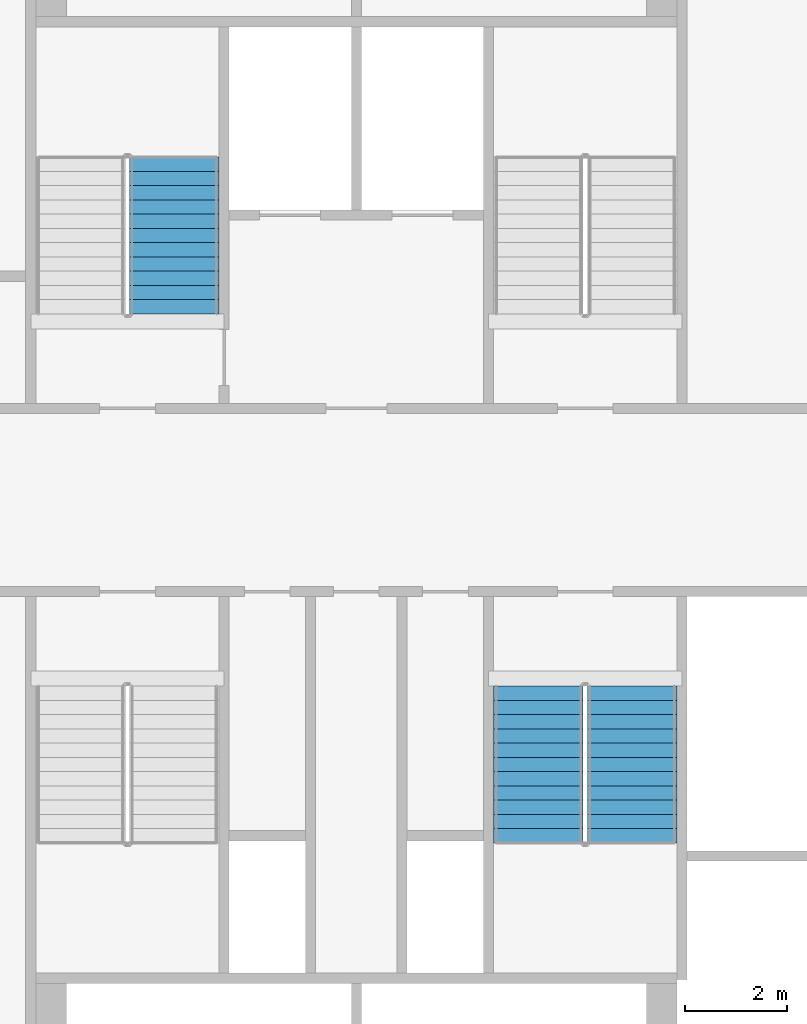
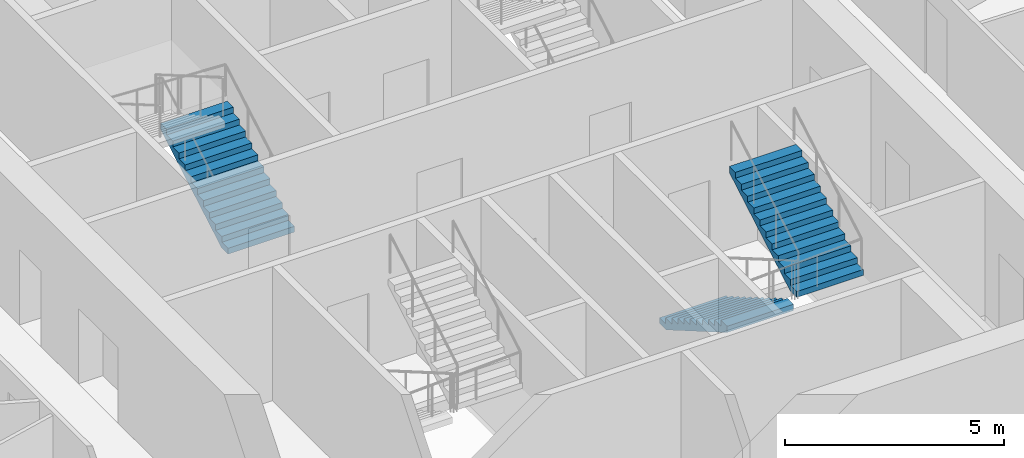
# One storey, part 16 of 22: 3 stair flights, 2 elements without a shape of their own.
"""IFC4 building model written with IfcOpenShell, lengths in metres."""

from ifc_helpers import new_model, si_unit, direction, frame, origin, place, context, subcontext, project, spatial, faceted_brep, material, type_object, element, aggregate, save


model = new_model("IFC4")

# Units and contexts
model_context = context("Model", 3, precision=1e-05, world=origin(), true_north=direction((0.0, 1.0)))
body_context = subcontext(model_context, "Body", "Model", "MODEL_VIEW")
ifc_project = project(units=[si_unit("LENGTHUNIT", "METRE"), si_unit("AREAUNIT", "SQUARE_METRE"), si_unit("VOLUMEUNIT", "CUBIC_METRE"), si_unit("PLANEANGLEUNIT", "RADIAN"), si_unit("MASSUNIT", "GRAM", prefix="KILO")], contexts=[model_context])

# Site, building, storey
site_placement = place(None, origin())
site = spatial("IfcSite", under=ifc_project, at=site_placement, CompositionType="ELEMENT")
building_placement = place(site_placement, origin())
building = spatial("IfcBuilding", under=site, at=building_placement, Name="Tarsis Ring Headquarters", CompositionType="ELEMENT")
storey_placement = place(building_placement, frame((0.0, 0.0, 186.60009765625)))
storey = spatial("IfcBuildingStorey", under=building, at=storey_placement, Name="L43", CompositionType="ELEMENT", Elevation=186.60009765625)

# Stair, stair flight
ifc_material_1 = material(Name="Core stair 1760")
stair_type = type_object("IfcStairType", Name="Core stair 1760", PredefinedType="HALF_TURN_STAIR", material=ifc_material_1)
stair_1_placement = place(storey_placement, origin())
stair_1 = element("IfcStair", 1, at=stair_1_placement, inside=storey, type_object=stair_type, Name="L43 Firefighting stair", PredefinedType="HALF_TURN_STAIR")
ifc_material_2 = material(Name="Concrete C40/50", Category="concrete")
stair_flight_type = type_object("IfcStairFlightType", Name="Core stair flight 1760", PredefinedType="STRAIGHT", material=ifc_material_2)
stair_flight_1_placement = place(storey_placement, frame((-3.580078125, 3.659912109375, 0.0), z_axis=(0.0, 0.0, 1.0), x_axis=(0.0, 1.0, 0.0)))
stair_flight_1 = element("IfcStairFlight", 2, at=stair_flight_1_placement, type_object=stair_flight_type, Name="Stair ST1 flight 1", NumberOfRisers=12, NumberOfTreads=11, PredefinedType="STRAIGHT", RiserHeight=0.1625, TreadLength=0.28, context=body_context, shape_type="Brep", body=[
    faceted_brep([(0.0, 0.8798828125, 0.0), (0.0, 0.8798828125, 0.16259765625), (0.280029296875, 0.8798828125, 0.16259765625), (0.280029296875, 0.8798828125, 0.324951171875), (0.56005859375, 0.8798828125, 0.324951171875), (0.56005859375, 0.8798828125, 0.487548828125), (0.840087890625, 0.8798828125, 0.487548828125), (0.840087890625, 0.8798828125, 0.64990234375), (1.1201171875, 0.8798828125, 0.64990234375), (1.1201171875, 0.8798828125, 0.8125), (1.39990234375, 0.8798828125, 0.8125), (1.39990234375, 0.8798828125, 0.97509765625), (1.679931640625, 0.8798828125, 0.97509765625), (1.679931640625, 0.8798828125, 1.137451171875), (1.9599609375, 0.8798828125, 1.137451171875), (1.9599609375, 0.8798828125, 1.300048828125), (2.239990234375, 0.8798828125, 1.300048828125), (2.239990234375, 0.8798828125, 1.46240234375), (2.52001953125, 0.8798828125, 1.46240234375), (2.52001953125, 0.8798828125, 1.625), (2.800048828125, 0.8798828125, 1.625), (2.800048828125, 0.8798828125, 1.78759765625), (3.080078125, 0.8798828125, 1.78759765625), (3.080078125, 0.8798828125, 1.6142578125), (0.298583984375, 0.8798828125, 0.0), (0.298583984375, -0.8798828125, 0.0), (3.080078125, -0.8798828125, 1.6142578125), (3.080078125, -0.8798828125, 1.78759765625), (2.800048828125, -0.8798828125, 1.78759765625), (2.800048828125, -0.8798828125, 1.625), (2.52001953125, -0.8798828125, 1.625), (2.52001953125, -0.8798828125, 1.46240234375), (2.239990234375, -0.8798828125, 1.46240234375), (2.239990234375, -0.8798828125, 1.300048828125), (1.9599609375, -0.8798828125, 1.300048828125), (1.9599609375, -0.8798828125, 1.137451171875), (1.679931640625, -0.8798828125, 1.137451171875), (1.679931640625, -0.8798828125, 0.97509765625), (1.39990234375, -0.8798828125, 0.97509765625), (1.39990234375, -0.8798828125, 0.8125), (1.1201171875, -0.8798828125, 0.8125), (1.1201171875, -0.8798828125, 0.64990234375), (0.840087890625, -0.8798828125, 0.64990234375), (0.840087890625, -0.8798828125, 0.487548828125), (0.56005859375, -0.8798828125, 0.487548828125), (0.56005859375, -0.8798828125, 0.324951171875), (0.280029296875, -0.8798828125, 0.324951171875), (0.280029296875, -0.8798828125, 0.16259765625), (0.0, -0.8798828125, 0.16259765625), (0.0, -0.8798828125, 0.0), (0.0, -0.43994140625, 0.16259765625), (0.0, -0.43994140625, 0.0), (0.0, 0.0, 0.16259765625), (0.0, 0.0, 0.0), (0.0, 0.43994140625, 0.16259765625), (0.0, 0.43994140625, 0.0), (0.280029296875, -0.43994140625, 0.16259765625), (0.280029296875, 0.0, 0.16259765625), (0.280029296875, 0.43994140625, 0.16259765625), (0.280029296875, -0.43994140625, 0.324951171875), (0.280029296875, 0.0, 0.324951171875), (0.280029296875, 0.43994140625, 0.324951171875), (0.56005859375, -0.43994140625, 0.324951171875), (0.56005859375, 0.0, 0.324951171875), (0.56005859375, 0.43994140625, 0.324951171875), (0.56005859375, -0.43994140625, 0.487548828125), (0.56005859375, 0.0, 0.487548828125), (0.56005859375, 0.43994140625, 0.487548828125), (0.840087890625, -0.43994140625, 0.487548828125), (0.840087890625, 0.0, 0.487548828125), (0.840087890625, 0.43994140625, 0.487548828125), (0.840087890625, -0.43994140625, 0.64990234375), (0.840087890625, 0.0, 0.64990234375), (0.840087890625, 0.43994140625, 0.64990234375), (1.1201171875, -0.43994140625, 0.64990234375), (1.1201171875, 0.0, 0.64990234375), (1.1201171875, 0.43994140625, 0.64990234375), (1.1201171875, -0.43994140625, 0.8125), (1.1201171875, 0.0, 0.8125), (1.1201171875, 0.43994140625, 0.8125), (1.39990234375, -0.43994140625, 0.8125), (1.39990234375, 0.0, 0.8125), (1.39990234375, 0.43994140625, 0.8125), (1.39990234375, -0.43994140625, 0.97509765625), (1.39990234375, 0.0, 0.97509765625), (1.39990234375, 0.43994140625, 0.97509765625), (1.679931640625, -0.43994140625, 0.97509765625), (1.679931640625, 0.0, 0.97509765625), (1.679931640625, 0.43994140625, 0.97509765625), (1.679931640625, -0.43994140625, 1.137451171875), (1.679931640625, 0.0, 1.137451171875), (1.679931640625, 0.43994140625, 1.137451171875), (1.9599609375, -0.43994140625, 1.137451171875), (1.9599609375, 0.0, 1.137451171875), (1.9599609375, 0.43994140625, 1.137451171875), (1.9599609375, -0.43994140625, 1.300048828125), (1.9599609375, 0.0, 1.300048828125), (1.9599609375, 0.43994140625, 1.300048828125), (2.239990234375, -0.43994140625, 1.300048828125), (2.239990234375, 0.0, 1.300048828125), (2.239990234375, 0.43994140625, 1.300048828125), (2.239990234375, -0.43994140625, 1.46240234375), (2.239990234375, 0.0, 1.46240234375), (2.239990234375, 0.43994140625, 1.46240234375), (2.52001953125, -0.43994140625, 1.46240234375), (2.52001953125, 0.0, 1.46240234375), (2.52001953125, 0.43994140625, 1.46240234375), (2.52001953125, -0.43994140625, 1.625), (2.52001953125, 0.0, 1.625), (2.52001953125, 0.43994140625, 1.625), (2.800048828125, -0.43994140625, 1.625), (2.800048828125, 0.0, 1.625), (2.800048828125, 0.43994140625, 1.625), (2.800048828125, -0.43994140625, 1.78759765625), (2.800048828125, 0.0, 1.78759765625), (2.800048828125, 0.43994140625, 1.78759765625), (3.080078125, -0.43994140625, 1.78759765625), (3.080078125, 0.0, 1.78759765625), (3.080078125, 0.43994140625, 1.78759765625), (3.080078125, -0.43994140625, 1.6142578125), (3.080078125, 0.0, 1.6142578125), (3.080078125, 0.43994140625, 1.6142578125), (0.298583984375, -0.43994140625, 0.0), (0.298583984375, 0.0, 0.0), (0.298583984375, 0.43994140625, 0.0)], [[[0, 1, 2, 3, 4, 5, 6, 7, 8, 9, 10, 11, 12, 13, 14, 15, 16, 17, 18, 19, 20, 21, 22, 23, 24]], [[25, 26, 27, 28, 29, 30, 31, 32, 33, 34, 35, 36, 37, 38, 39, 40, 41, 42, 43, 44, 45, 46, 47, 48, 49]], [[49, 48, 50, 51]], [[51, 50, 52, 53]], [[53, 52, 54, 55]], [[55, 54, 1, 0]], [[48, 47, 56, 50]], [[50, 56, 57, 52]], [[52, 57, 58, 54]], [[54, 58, 2, 1]], [[47, 46, 59, 56]], [[56, 59, 60, 57]], [[57, 60, 61, 58]], [[58, 61, 3, 2]], [[46, 45, 62, 59]], [[59, 62, 63, 60]], [[60, 63, 64, 61]], [[61, 64, 4, 3]], [[45, 44, 65, 62]], [[62, 65, 66, 63]], [[63, 66, 67, 64]], [[64, 67, 5, 4]], [[44, 43, 68, 65]], [[65, 68, 69, 66]], [[66, 69, 70, 67]], [[67, 70, 6, 5]], [[43, 42, 71, 68]], [[68, 71, 72, 69]], [[69, 72, 73, 70]], [[70, 73, 7, 6]], [[42, 41, 74, 71]], [[71, 74, 75, 72]], [[72, 75, 76, 73]], [[73, 76, 8, 7]], [[41, 40, 77, 74]], [[74, 77, 78, 75]], [[75, 78, 79, 76]], [[76, 79, 9, 8]], [[40, 39, 80, 77]], [[77, 80, 81, 78]], [[78, 81, 82, 79]], [[79, 82, 10, 9]], [[39, 38, 83, 80]], [[80, 83, 84, 81]], [[81, 84, 85, 82]], [[82, 85, 11, 10]], [[38, 37, 86, 83]], [[83, 86, 87, 84]], [[84, 87, 88, 85]], [[85, 88, 12, 11]], [[37, 36, 89, 86]], [[86, 89, 90, 87]], [[87, 90, 91, 88]], [[88, 91, 13, 12]], [[36, 35, 92, 89]], [[89, 92, 93, 90]], [[90, 93, 94, 91]], [[91, 94, 14, 13]], [[35, 34, 95, 92]], [[92, 95, 96, 93]], [[93, 96, 97, 94]], [[94, 97, 15, 14]], [[34, 33, 98, 95]], [[95, 98, 99, 96]], [[96, 99, 100, 97]], [[97, 100, 16, 15]], [[33, 32, 101, 98]], [[98, 101, 102, 99]], [[99, 102, 103, 100]], [[100, 103, 17, 16]], [[32, 31, 104, 101]], [[101, 104, 105, 102]], [[102, 105, 106, 103]], [[103, 106, 18, 17]], [[31, 30, 107, 104]], [[104, 107, 108, 105]], [[105, 108, 109, 106]], [[106, 109, 19, 18]], [[30, 29, 110, 107]], [[107, 110, 111, 108]], [[108, 111, 112, 109]], [[109, 112, 20, 19]], [[29, 28, 113, 110]], [[110, 113, 114, 111]], [[111, 114, 115, 112]], [[112, 115, 21, 20]], [[28, 27, 116, 113]], [[113, 116, 117, 114]], [[114, 117, 118, 115]], [[115, 118, 22, 21]], [[27, 26, 119, 116]], [[116, 119, 120, 117]], [[117, 120, 121, 118]], [[118, 121, 23, 22]], [[26, 25, 122, 119]], [[119, 122, 123, 120]], [[120, 123, 124, 121]], [[121, 124, 24, 23]], [[25, 49, 51, 122]], [[122, 51, 53, 123]], [[123, 53, 55, 124]], [[124, 55, 0, 24]]]),
])
aggregate(stair_1, [stair_flight_1])

# Stair, stair flights
stair_2_placement = place(storey_placement, origin())
stair_2 = element("IfcStair", 3, at=stair_2_placement, inside=storey, type_object=stair_type, Name="L43 Exit stair D", PredefinedType="HALF_TURN_STAIR")
stair_flight_2_placement = place(storey_placement, frame((3.580078125, -3.659912109375, 0.0), z_axis=(0.0, 0.0, 1.0), x_axis=(0.0, -1.0, 0.0)))
stair_flight_2 = element("IfcStairFlight", 4, at=stair_flight_2_placement, type_object=stair_flight_type, Name="Stair ST4 flight 1", NumberOfRisers=12, NumberOfTreads=11, PredefinedType="STRAIGHT", RiserHeight=0.1625, TreadLength=0.28, context=body_context, shape_type="Brep", body=[
    faceted_brep([(0.0, 0.8798828125, 0.0), (0.0, 0.8798828125, 0.16259765625), (0.280029296875, 0.8798828125, 0.16259765625), (0.280029296875, 0.8798828125, 0.324951171875), (0.56005859375, 0.8798828125, 0.324951171875), (0.56005859375, 0.8798828125, 0.487548828125), (0.840087890625, 0.8798828125, 0.487548828125), (0.840087890625, 0.8798828125, 0.64990234375), (1.1201171875, 0.8798828125, 0.64990234375), (1.1201171875, 0.8798828125, 0.8125), (1.39990234375, 0.8798828125, 0.8125), (1.39990234375, 0.8798828125, 0.97509765625), (1.679931640625, 0.8798828125, 0.97509765625), (1.679931640625, 0.8798828125, 1.137451171875), (1.9599609375, 0.8798828125, 1.137451171875), (1.9599609375, 0.8798828125, 1.300048828125), (2.239990234375, 0.8798828125, 1.300048828125), (2.239990234375, 0.8798828125, 1.46240234375), (2.52001953125, 0.8798828125, 1.46240234375), (2.52001953125, 0.8798828125, 1.625), (2.800048828125, 0.8798828125, 1.625), (2.800048828125, 0.8798828125, 1.78759765625), (3.080078125, 0.8798828125, 1.78759765625), (3.080078125, 0.8798828125, 1.6142578125), (0.298583984375, 0.8798828125, 0.0), (0.298583984375, -0.8798828125, 0.0), (3.080078125, -0.8798828125, 1.6142578125), (3.080078125, -0.8798828125, 1.78759765625), (2.800048828125, -0.8798828125, 1.78759765625), (2.800048828125, -0.8798828125, 1.625), (2.52001953125, -0.8798828125, 1.625), (2.52001953125, -0.8798828125, 1.46240234375), (2.239990234375, -0.8798828125, 1.46240234375), (2.239990234375, -0.8798828125, 1.300048828125), (1.9599609375, -0.8798828125, 1.300048828125), (1.9599609375, -0.8798828125, 1.137451171875), (1.679931640625, -0.8798828125, 1.137451171875), (1.679931640625, -0.8798828125, 0.97509765625), (1.39990234375, -0.8798828125, 0.97509765625), (1.39990234375, -0.8798828125, 0.8125), (1.1201171875, -0.8798828125, 0.8125), (1.1201171875, -0.8798828125, 0.64990234375), (0.840087890625, -0.8798828125, 0.64990234375), (0.840087890625, -0.8798828125, 0.487548828125), (0.56005859375, -0.8798828125, 0.487548828125), (0.56005859375, -0.8798828125, 0.324951171875), (0.280029296875, -0.8798828125, 0.324951171875), (0.280029296875, -0.8798828125, 0.16259765625), (0.0, -0.8798828125, 0.16259765625), (0.0, -0.8798828125, 0.0), (0.0, -0.43994140625, 0.16259765625), (0.0, -0.43994140625, 0.0), (0.0, 0.0, 0.16259765625), (0.0, 0.0, 0.0), (0.0, 0.43994140625, 0.16259765625), (0.0, 0.43994140625, 0.0), (0.280029296875, -0.43994140625, 0.16259765625), (0.280029296875, 0.0, 0.16259765625), (0.280029296875, 0.43994140625, 0.16259765625), (0.280029296875, -0.43994140625, 0.324951171875), (0.280029296875, 0.0, 0.324951171875), (0.280029296875, 0.43994140625, 0.324951171875), (0.56005859375, -0.43994140625, 0.324951171875), (0.56005859375, 0.0, 0.324951171875), (0.56005859375, 0.43994140625, 0.324951171875), (0.56005859375, -0.43994140625, 0.487548828125), (0.56005859375, 0.0, 0.487548828125), (0.56005859375, 0.43994140625, 0.487548828125), (0.840087890625, -0.43994140625, 0.487548828125), (0.840087890625, 0.0, 0.487548828125), (0.840087890625, 0.43994140625, 0.487548828125), (0.840087890625, -0.43994140625, 0.64990234375), (0.840087890625, 0.0, 0.64990234375), (0.840087890625, 0.43994140625, 0.64990234375), (1.1201171875, -0.43994140625, 0.64990234375), (1.1201171875, 0.0, 0.64990234375), (1.1201171875, 0.43994140625, 0.64990234375), (1.1201171875, -0.43994140625, 0.8125), (1.1201171875, 0.0, 0.8125), (1.1201171875, 0.43994140625, 0.8125), (1.39990234375, -0.43994140625, 0.8125), (1.39990234375, 0.0, 0.8125), (1.39990234375, 0.43994140625, 0.8125), (1.39990234375, -0.43994140625, 0.97509765625), (1.39990234375, 0.0, 0.97509765625), (1.39990234375, 0.43994140625, 0.97509765625), (1.679931640625, -0.43994140625, 0.97509765625), (1.679931640625, 0.0, 0.97509765625), (1.679931640625, 0.43994140625, 0.97509765625), (1.679931640625, -0.43994140625, 1.137451171875), (1.679931640625, 0.0, 1.137451171875), (1.679931640625, 0.43994140625, 1.137451171875), (1.9599609375, -0.43994140625, 1.137451171875), (1.9599609375, 0.0, 1.137451171875), (1.9599609375, 0.43994140625, 1.137451171875), (1.9599609375, -0.43994140625, 1.300048828125), (1.9599609375, 0.0, 1.300048828125), (1.9599609375, 0.43994140625, 1.300048828125), (2.239990234375, -0.43994140625, 1.300048828125), (2.239990234375, 0.0, 1.300048828125), (2.239990234375, 0.43994140625, 1.300048828125), (2.239990234375, -0.43994140625, 1.46240234375), (2.239990234375, 0.0, 1.46240234375), (2.239990234375, 0.43994140625, 1.46240234375), (2.52001953125, -0.43994140625, 1.46240234375), (2.52001953125, 0.0, 1.46240234375), (2.52001953125, 0.43994140625, 1.46240234375), (2.52001953125, -0.43994140625, 1.625), (2.52001953125, 0.0, 1.625), (2.52001953125, 0.43994140625, 1.625), (2.800048828125, -0.43994140625, 1.625), (2.800048828125, 0.0, 1.625), (2.800048828125, 0.43994140625, 1.625), (2.800048828125, -0.43994140625, 1.78759765625), (2.800048828125, 0.0, 1.78759765625), (2.800048828125, 0.43994140625, 1.78759765625), (3.080078125, -0.43994140625, 1.78759765625), (3.080078125, 0.0, 1.78759765625), (3.080078125, 0.43994140625, 1.78759765625), (3.080078125, -0.43994140625, 1.6142578125), (3.080078125, 0.0, 1.6142578125), (3.080078125, 0.43994140625, 1.6142578125), (0.298583984375, -0.43994140625, 0.0), (0.298583984375, 0.0, 0.0), (0.298583984375, 0.43994140625, 0.0)], [[[0, 1, 2, 3, 4, 5, 6, 7, 8, 9, 10, 11, 12, 13, 14, 15, 16, 17, 18, 19, 20, 21, 22, 23, 24]], [[25, 26, 27, 28, 29, 30, 31, 32, 33, 34, 35, 36, 37, 38, 39, 40, 41, 42, 43, 44, 45, 46, 47, 48, 49]], [[49, 48, 50, 51]], [[51, 50, 52, 53]], [[53, 52, 54, 55]], [[55, 54, 1, 0]], [[48, 47, 56, 50]], [[50, 56, 57, 52]], [[52, 57, 58, 54]], [[54, 58, 2, 1]], [[47, 46, 59, 56]], [[56, 59, 60, 57]], [[57, 60, 61, 58]], [[58, 61, 3, 2]], [[46, 45, 62, 59]], [[59, 62, 63, 60]], [[60, 63, 64, 61]], [[61, 64, 4, 3]], [[45, 44, 65, 62]], [[62, 65, 66, 63]], [[63, 66, 67, 64]], [[64, 67, 5, 4]], [[44, 43, 68, 65]], [[65, 68, 69, 66]], [[66, 69, 70, 67]], [[67, 70, 6, 5]], [[43, 42, 71, 68]], [[68, 71, 72, 69]], [[69, 72, 73, 70]], [[70, 73, 7, 6]], [[42, 41, 74, 71]], [[71, 74, 75, 72]], [[72, 75, 76, 73]], [[73, 76, 8, 7]], [[41, 40, 77, 74]], [[74, 77, 78, 75]], [[75, 78, 79, 76]], [[76, 79, 9, 8]], [[40, 39, 80, 77]], [[77, 80, 81, 78]], [[78, 81, 82, 79]], [[79, 82, 10, 9]], [[39, 38, 83, 80]], [[80, 83, 84, 81]], [[81, 84, 85, 82]], [[82, 85, 11, 10]], [[38, 37, 86, 83]], [[83, 86, 87, 84]], [[84, 87, 88, 85]], [[85, 88, 12, 11]], [[37, 36, 89, 86]], [[86, 89, 90, 87]], [[87, 90, 91, 88]], [[88, 91, 13, 12]], [[36, 35, 92, 89]], [[89, 92, 93, 90]], [[90, 93, 94, 91]], [[91, 94, 14, 13]], [[35, 34, 95, 92]], [[92, 95, 96, 93]], [[93, 96, 97, 94]], [[94, 97, 15, 14]], [[34, 33, 98, 95]], [[95, 98, 99, 96]], [[96, 99, 100, 97]], [[97, 100, 16, 15]], [[33, 32, 101, 98]], [[98, 101, 102, 99]], [[99, 102, 103, 100]], [[100, 103, 17, 16]], [[32, 31, 104, 101]], [[101, 104, 105, 102]], [[102, 105, 106, 103]], [[103, 106, 18, 17]], [[31, 30, 107, 104]], [[104, 107, 108, 105]], [[105, 108, 109, 106]], [[106, 109, 19, 18]], [[30, 29, 110, 107]], [[107, 110, 111, 108]], [[108, 111, 112, 109]], [[109, 112, 20, 19]], [[29, 28, 113, 110]], [[110, 113, 114, 111]], [[111, 114, 115, 112]], [[112, 115, 21, 20]], [[28, 27, 116, 113]], [[113, 116, 117, 114]], [[114, 117, 118, 115]], [[115, 118, 22, 21]], [[27, 26, 119, 116]], [[116, 119, 120, 117]], [[117, 120, 121, 118]], [[118, 121, 23, 22]], [[26, 25, 122, 119]], [[119, 122, 123, 120]], [[120, 123, 124, 121]], [[121, 124, 24, 23]], [[25, 49, 51, 122]], [[122, 51, 53, 123]], [[123, 53, 55, 124]], [[124, 55, 0, 24]]]),
])
stair_flight_3_placement = place(storey_placement, frame((5.419921875, -6.739990234375, 1.949951171875), z_axis=(0.0, 0.0, 1.0), x_axis=(0.0, 1.0, 0.0)))
stair_flight_3 = element("IfcStairFlight", 5, at=stair_flight_3_placement, type_object=stair_flight_type, Name="Stair ST4 flight 2", NumberOfRisers=12, NumberOfTreads=11, PredefinedType="STRAIGHT", RiserHeight=0.1625, TreadLength=0.28, context=body_context, shape_type="Brep", body=[
    faceted_brep([(0.0, 0.8798828125, 0.0), (0.0, 0.8798828125, 0.16259765625), (0.280029296875, 0.8798828125, 0.16259765625), (0.280029296875, 0.8798828125, 0.324951171875), (0.56005859375, 0.8798828125, 0.324951171875), (0.56005859375, 0.8798828125, 0.487548828125), (0.840087890625, 0.8798828125, 0.487548828125), (0.840087890625, 0.8798828125, 0.64990234375), (1.1201171875, 0.8798828125, 0.64990234375), (1.1201171875, 0.8798828125, 0.8125), (1.39990234375, 0.8798828125, 0.8125), (1.39990234375, 0.8798828125, 0.97509765625), (1.679931640625, 0.8798828125, 0.97509765625), (1.679931640625, 0.8798828125, 1.137451171875), (1.9599609375, 0.8798828125, 1.137451171875), (1.9599609375, 0.8798828125, 1.300048828125), (2.239990234375, 0.8798828125, 1.300048828125), (2.239990234375, 0.8798828125, 1.46240234375), (2.52001953125, 0.8798828125, 1.46240234375), (2.52001953125, 0.8798828125, 1.625), (2.800048828125, 0.8798828125, 1.625), (2.800048828125, 0.8798828125, 1.78759765625), (3.080078125, 0.8798828125, 1.78759765625), (3.080078125, 0.8798828125, 1.6142578125), (0.298583984375, 0.8798828125, 0.0), (0.298583984375, -0.8798828125, 0.0), (3.080078125, -0.8798828125, 1.6142578125), (3.080078125, -0.8798828125, 1.78759765625), (2.800048828125, -0.8798828125, 1.78759765625), (2.800048828125, -0.8798828125, 1.625), (2.52001953125, -0.8798828125, 1.625), (2.52001953125, -0.8798828125, 1.46240234375), (2.239990234375, -0.8798828125, 1.46240234375), (2.239990234375, -0.8798828125, 1.300048828125), (1.9599609375, -0.8798828125, 1.300048828125), (1.9599609375, -0.8798828125, 1.137451171875), (1.679931640625, -0.8798828125, 1.137451171875), (1.679931640625, -0.8798828125, 0.97509765625), (1.39990234375, -0.8798828125, 0.97509765625), (1.39990234375, -0.8798828125, 0.8125), (1.1201171875, -0.8798828125, 0.8125), (1.1201171875, -0.8798828125, 0.64990234375), (0.840087890625, -0.8798828125, 0.64990234375), (0.840087890625, -0.8798828125, 0.487548828125), (0.56005859375, -0.8798828125, 0.487548828125), (0.56005859375, -0.8798828125, 0.324951171875), (0.280029296875, -0.8798828125, 0.324951171875), (0.280029296875, -0.8798828125, 0.16259765625), (0.0, -0.8798828125, 0.16259765625), (0.0, -0.8798828125, 0.0), (0.0, -0.43994140625, 0.16259765625), (0.0, -0.43994140625, 0.0), (0.0, 0.0, 0.16259765625), (0.0, 0.0, 0.0), (0.0, 0.43994140625, 0.16259765625), (0.0, 0.43994140625, 0.0), (0.280029296875, -0.43994140625, 0.16259765625), (0.280029296875, 0.0, 0.16259765625), (0.280029296875, 0.43994140625, 0.16259765625), (0.280029296875, -0.43994140625, 0.324951171875), (0.280029296875, 0.0, 0.324951171875), (0.280029296875, 0.43994140625, 0.324951171875), (0.56005859375, -0.43994140625, 0.324951171875), (0.56005859375, 0.0, 0.324951171875), (0.56005859375, 0.43994140625, 0.324951171875), (0.56005859375, -0.43994140625, 0.487548828125), (0.56005859375, 0.0, 0.487548828125), (0.56005859375, 0.43994140625, 0.487548828125), (0.840087890625, -0.43994140625, 0.487548828125), (0.840087890625, 0.0, 0.487548828125), (0.840087890625, 0.43994140625, 0.487548828125), (0.840087890625, -0.43994140625, 0.64990234375), (0.840087890625, 0.0, 0.64990234375), (0.840087890625, 0.43994140625, 0.64990234375), (1.1201171875, -0.43994140625, 0.64990234375), (1.1201171875, 0.0, 0.64990234375), (1.1201171875, 0.43994140625, 0.64990234375), (1.1201171875, -0.43994140625, 0.8125), (1.1201171875, 0.0, 0.8125), (1.1201171875, 0.43994140625, 0.8125), (1.39990234375, -0.43994140625, 0.8125), (1.39990234375, 0.0, 0.8125), (1.39990234375, 0.43994140625, 0.8125), (1.39990234375, -0.43994140625, 0.97509765625), (1.39990234375, 0.0, 0.97509765625), (1.39990234375, 0.43994140625, 0.97509765625), (1.679931640625, -0.43994140625, 0.97509765625), (1.679931640625, 0.0, 0.97509765625), (1.679931640625, 0.43994140625, 0.97509765625), (1.679931640625, -0.43994140625, 1.137451171875), (1.679931640625, 0.0, 1.137451171875), (1.679931640625, 0.43994140625, 1.137451171875), (1.9599609375, -0.43994140625, 1.137451171875), (1.9599609375, 0.0, 1.137451171875), (1.9599609375, 0.43994140625, 1.137451171875), (1.9599609375, -0.43994140625, 1.300048828125), (1.9599609375, 0.0, 1.300048828125), (1.9599609375, 0.43994140625, 1.300048828125), (2.239990234375, -0.43994140625, 1.300048828125), (2.239990234375, 0.0, 1.300048828125), (2.239990234375, 0.43994140625, 1.300048828125), (2.239990234375, -0.43994140625, 1.46240234375), (2.239990234375, 0.0, 1.46240234375), (2.239990234375, 0.43994140625, 1.46240234375), (2.52001953125, -0.43994140625, 1.46240234375), (2.52001953125, 0.0, 1.46240234375), (2.52001953125, 0.43994140625, 1.46240234375), (2.52001953125, -0.43994140625, 1.625), (2.52001953125, 0.0, 1.625), (2.52001953125, 0.43994140625, 1.625), (2.800048828125, -0.43994140625, 1.625), (2.800048828125, 0.0, 1.625), (2.800048828125, 0.43994140625, 1.625), (2.800048828125, -0.43994140625, 1.78759765625), (2.800048828125, 0.0, 1.78759765625), (2.800048828125, 0.43994140625, 1.78759765625), (3.080078125, -0.43994140625, 1.78759765625), (3.080078125, 0.0, 1.78759765625), (3.080078125, 0.43994140625, 1.78759765625), (3.080078125, -0.43994140625, 1.6142578125), (3.080078125, 0.0, 1.6142578125), (3.080078125, 0.43994140625, 1.6142578125), (0.298583984375, -0.43994140625, 0.0), (0.298583984375, 0.0, 0.0), (0.298583984375, 0.43994140625, 0.0)], [[[0, 1, 2, 3, 4, 5, 6, 7, 8, 9, 10, 11, 12, 13, 14, 15, 16, 17, 18, 19, 20, 21, 22, 23, 24]], [[25, 26, 27, 28, 29, 30, 31, 32, 33, 34, 35, 36, 37, 38, 39, 40, 41, 42, 43, 44, 45, 46, 47, 48, 49]], [[49, 48, 50, 51]], [[51, 50, 52, 53]], [[53, 52, 54, 55]], [[55, 54, 1, 0]], [[48, 47, 56, 50]], [[50, 56, 57, 52]], [[52, 57, 58, 54]], [[54, 58, 2, 1]], [[47, 46, 59, 56]], [[56, 59, 60, 57]], [[57, 60, 61, 58]], [[58, 61, 3, 2]], [[46, 45, 62, 59]], [[59, 62, 63, 60]], [[60, 63, 64, 61]], [[61, 64, 4, 3]], [[45, 44, 65, 62]], [[62, 65, 66, 63]], [[63, 66, 67, 64]], [[64, 67, 5, 4]], [[44, 43, 68, 65]], [[65, 68, 69, 66]], [[66, 69, 70, 67]], [[67, 70, 6, 5]], [[43, 42, 71, 68]], [[68, 71, 72, 69]], [[69, 72, 73, 70]], [[70, 73, 7, 6]], [[42, 41, 74, 71]], [[71, 74, 75, 72]], [[72, 75, 76, 73]], [[73, 76, 8, 7]], [[41, 40, 77, 74]], [[74, 77, 78, 75]], [[75, 78, 79, 76]], [[76, 79, 9, 8]], [[40, 39, 80, 77]], [[77, 80, 81, 78]], [[78, 81, 82, 79]], [[79, 82, 10, 9]], [[39, 38, 83, 80]], [[80, 83, 84, 81]], [[81, 84, 85, 82]], [[82, 85, 11, 10]], [[38, 37, 86, 83]], [[83, 86, 87, 84]], [[84, 87, 88, 85]], [[85, 88, 12, 11]], [[37, 36, 89, 86]], [[86, 89, 90, 87]], [[87, 90, 91, 88]], [[88, 91, 13, 12]], [[36, 35, 92, 89]], [[89, 92, 93, 90]], [[90, 93, 94, 91]], [[91, 94, 14, 13]], [[35, 34, 95, 92]], [[92, 95, 96, 93]], [[93, 96, 97, 94]], [[94, 97, 15, 14]], [[34, 33, 98, 95]], [[95, 98, 99, 96]], [[96, 99, 100, 97]], [[97, 100, 16, 15]], [[33, 32, 101, 98]], [[98, 101, 102, 99]], [[99, 102, 103, 100]], [[100, 103, 17, 16]], [[32, 31, 104, 101]], [[101, 104, 105, 102]], [[102, 105, 106, 103]], [[103, 106, 18, 17]], [[31, 30, 107, 104]], [[104, 107, 108, 105]], [[105, 108, 109, 106]], [[106, 109, 19, 18]], [[30, 29, 110, 107]], [[107, 110, 111, 108]], [[108, 111, 112, 109]], [[109, 112, 20, 19]], [[29, 28, 113, 110]], [[110, 113, 114, 111]], [[111, 114, 115, 112]], [[112, 115, 21, 20]], [[28, 27, 116, 113]], [[113, 116, 117, 114]], [[114, 117, 118, 115]], [[115, 118, 22, 21]], [[27, 26, 119, 116]], [[116, 119, 120, 117]], [[117, 120, 121, 118]], [[118, 121, 23, 22]], [[26, 25, 122, 119]], [[119, 122, 123, 120]], [[120, 123, 124, 121]], [[121, 124, 24, 23]], [[25, 49, 51, 122]], [[122, 51, 53, 123]], [[123, 53, 55, 124]], [[124, 55, 0, 24]]]),
])
aggregate(stair_2, [stair_flight_2, stair_flight_3])

save(model, "model.ifc")
